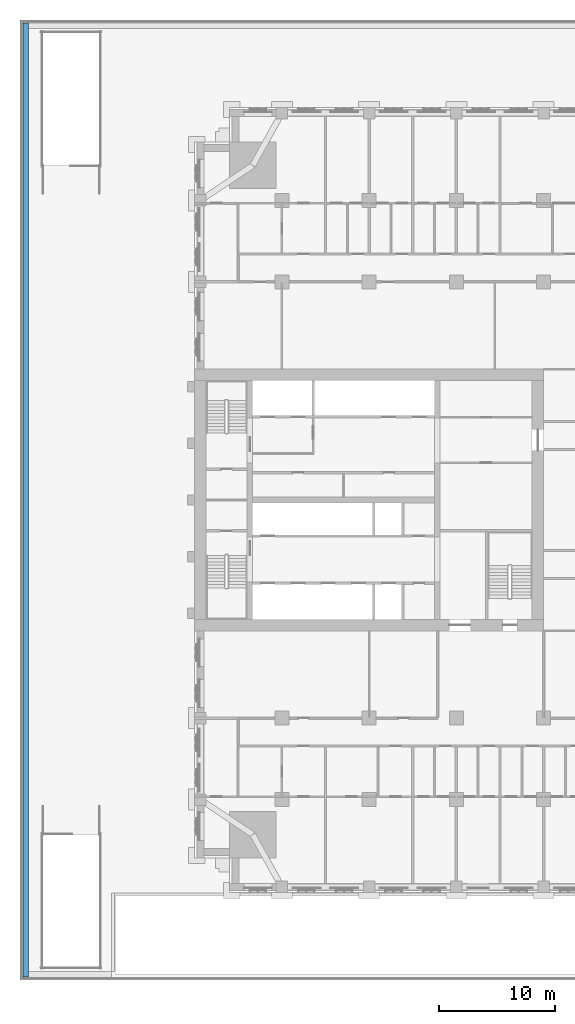
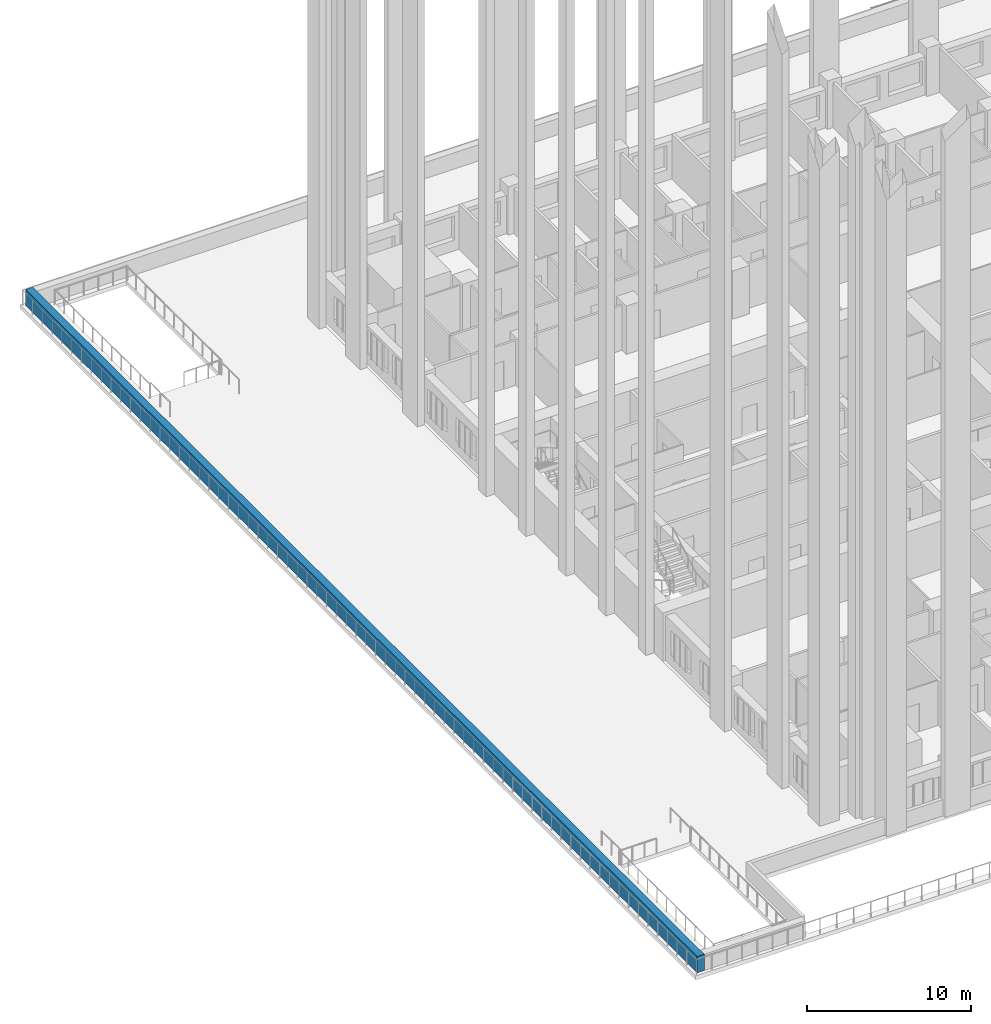
# One storey, part 10 of 27: 1 wall.
"""IFC4 building model written with IfcOpenShell, lengths in metres."""

from ifc_helpers import new_model, si_unit, direction, frame, frame_2d, origin, place, context, subcontext, project, spatial, rectangle, extrude, material, layer, layer_set, type_object, element, save


model = new_model("IFC4")

# Units and contexts
model_context = context("Model", 3, precision=1e-05, world=origin(), true_north=direction((0.0, 1.0)))
body_context = subcontext(model_context, "Body", "Model", "MODEL_VIEW")
ifc_project = project(units=[si_unit("LENGTHUNIT", "METRE"), si_unit("AREAUNIT", "SQUARE_METRE"), si_unit("VOLUMEUNIT", "CUBIC_METRE"), si_unit("PLANEANGLEUNIT", "RADIAN"), si_unit("MASSUNIT", "GRAM", prefix="KILO")], contexts=[model_context])

# Site, building, storey
site_placement = place(None, origin())
site = spatial("IfcSite", under=ifc_project, at=site_placement, CompositionType="ELEMENT")
building_placement = place(site_placement, origin())
building = spatial("IfcBuilding", under=site, at=building_placement, Name="Tamorin Gate", CompositionType="ELEMENT")
storey_placement = place(building_placement, frame((0.0, 0.0, 34.0)))
storey = spatial("IfcBuildingStorey", under=building, at=storey_placement, Name="L06", CompositionType="ELEMENT", Elevation=34.0)

# Wall
ifc_material = material(Name="Precast concrete C40/50", Category="concrete")
ifc_layer = layer(ifc_material, 0.5)
ifc_layer_set = layer_set([ifc_layer], Name="Precast concrete C40/50")
wall_type = type_object("IfcWallType", Name="Precast roof parapet 500", PredefinedType="PARAPET", material=ifc_layer_set)
wall_placement = place(storey_placement, frame((15.5, 30.25, 0.0), z_axis=(0.0, 0.0, 1.0), x_axis=(0.0, 1.0, 0.0)))
element("IfcWall", 1, at=wall_placement, inside=storey, type_object=wall_type, Name="Roof parapet", PredefinedType="PARAPET", context=body_context, shape_type="SweptSolid", body=[
    extrude(rectangle(XDim=82.0, YDim=0.5, at=frame_2d((41.0, 0.0))), origin(), (0.0, 0.0, 1.0), 1.199951171875),
])

save(model, "model.ifc")
